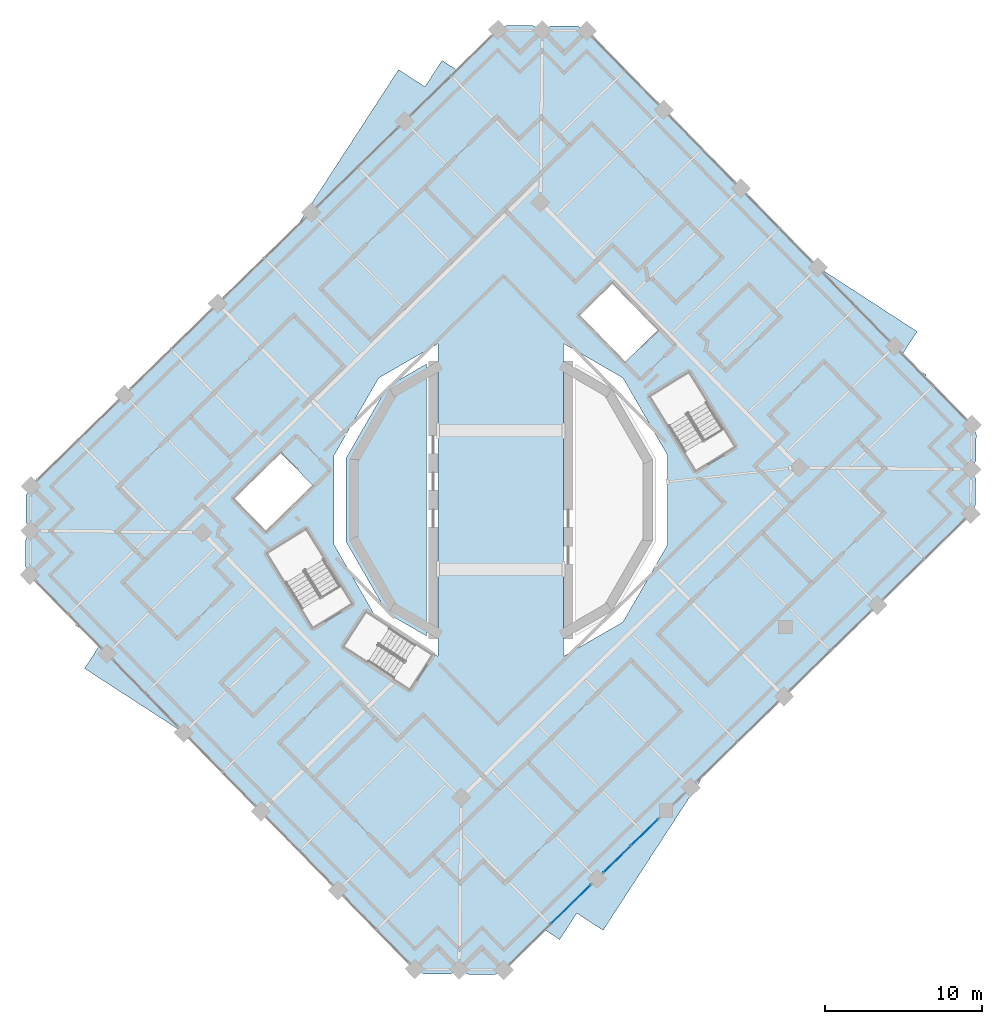
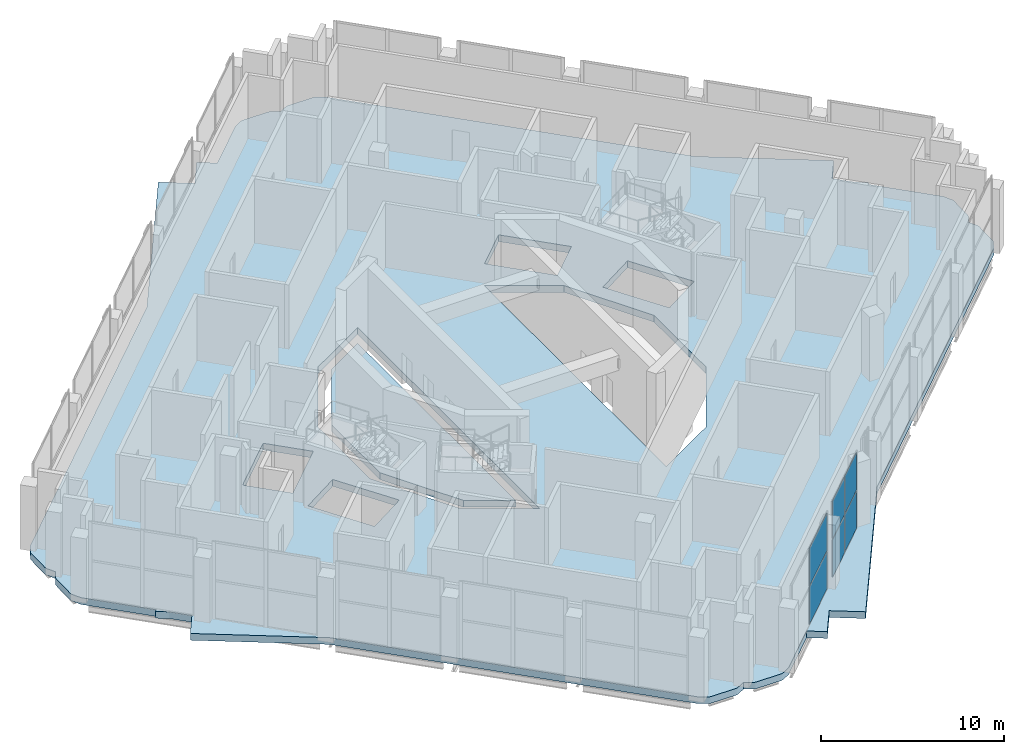
# One storey, part 10 of 20: 6 plates, 2 slabs, 2 elements without a shape of their own.
"""IFC4 building model written with IfcOpenShell, lengths in metres."""

from ifc_helpers import new_model, si_unit, direction, frame, origin, origin_2d, place, context, subcontext, project, spatial, polyline, rectangle, outline, extrude, material, layer, layer_set, type_object, element, aggregate, save


model = new_model("IFC4")

# Units and contexts
model_context = context("Model", 3, precision=1e-05, world=origin(), true_north=direction((0.0, 1.0)))
body_context = subcontext(model_context, "Body", "Model", "MODEL_VIEW")
ifc_project = project(units=[si_unit("LENGTHUNIT", "METRE"), si_unit("AREAUNIT", "SQUARE_METRE"), si_unit("VOLUMEUNIT", "CUBIC_METRE"), si_unit("PLANEANGLEUNIT", "RADIAN"), si_unit("MASSUNIT", "GRAM", prefix="KILO")], contexts=[model_context])

# Site, building, storey
site_placement = place(None, origin())
site = spatial("IfcSite", under=ifc_project, at=site_placement, CompositionType="ELEMENT")
building_placement = place(site_placement, origin())
building = spatial("IfcBuilding", under=site, at=building_placement, Name="Cantera Rosa Tower", CompositionType="ELEMENT")
storey_placement = place(building_placement, frame((0.0, 0.0, 245.0)))
storey = spatial("IfcBuildingStorey", under=building, at=storey_placement, Name="L54", CompositionType="ELEMENT", Elevation=245.0)

# Curtain wall, plates
ifc_material_1 = material(Name="Anodised aluminium louvre", Category="aluminium")
curtain_wall_type = type_object("IfcCurtainWallType", Name="CW3 REFUGE LOUVRE WALL", PredefinedType="NOTDEFINED", material=ifc_material_1)
curtain_wall_1_placement = place(storey_placement, origin())
curtain_wall_1 = element("IfcCurtainWall", 1, at=curtain_wall_1_placement, inside=storey, type_object=curtain_wall_type, Name="CW3 CW3", PredefinedType="NOTDEFINED")
ifc_material_2 = material(Name="Anodised aluminium louvre", Category="aluminium")
ifc_layer_1 = layer(ifc_material_2, 0.028076171875)
ifc_layer_set_1 = layer_set([ifc_layer_1], Name="CW-PANEL REFUGE")
plate_type = type_object("IfcPlateType", Name="CW-PANEL REFUGE", PredefinedType="CURTAIN_PANEL", material=ifc_layer_set_1)
plate_1_placement = place(storey_placement, frame((4.4521484375, -25.778076171875, 0.06005859375), z_axis=(0.0, 0.0, 1.0), x_axis=(0.715286291131, 0.698831540301, 0.0)))
plate_1 = element("IfcPlate", 2, at=plate_1_placement, type_object=plate_type, Name="CW3 panel 2.1", PredefinedType="CURTAIN_PANEL", context=body_context, shape_type="SweptSolid", body=[
    extrude(rectangle(XDim=3.5400390625, YDim=0.028076171875, at=origin_2d()), origin(), (0.0, 0.0, 1.0), 2.510009765625),
])
plate_2_placement = place(storey_placement, frame((4.4521484375, -25.778076171875, 2.6298828125), z_axis=(0.0, 0.0, 1.0), x_axis=(0.715286291131, 0.698831540301, 0.0)))
plate_2 = element("IfcPlate", 3, at=plate_2_placement, type_object=plate_type, Name="CW3 panel 2.2", PredefinedType="CURTAIN_PANEL", context=body_context, shape_type="SweptSolid", body=[
    extrude(rectangle(XDim=3.5400390625, YDim=0.028076171875, at=origin_2d()), origin(), (0.0, 0.0, 1.0), 2.510009765625),
])
aggregate(curtain_wall_1, [plate_1, plate_2])

curtain_wall_2_placement = place(storey_placement, origin())
curtain_wall_2 = element("IfcCurtainWall", 4, at=curtain_wall_2_placement, inside=storey, type_object=curtain_wall_type, Name="CW3 CW3", PredefinedType="NOTDEFINED")
plate_3_placement = place(storey_placement, frame((7.396484375, -22.9013671875, 0.06005859375), z_axis=(0.0, 0.0, 1.0), x_axis=(0.715286291058, 0.698831540376, 0.0)))
plate_3 = element("IfcPlate", 5, at=plate_3_placement, type_object=plate_type, Name="CW3 panel 1.1", PredefinedType="CURTAIN_PANEL", context=body_context, shape_type="SweptSolid", body=[
    extrude(rectangle(XDim=2.373046875, YDim=0.028076171875, at=origin_2d()), origin(), (0.0, 0.0, 1.0), 2.510009765625),
])
plate_4_placement = place(storey_placement, frame((7.396484375, -22.9013671875, 2.6298828125), z_axis=(0.0, 0.0, 1.0), x_axis=(0.715286291058, 0.698831540376, 0.0)))
plate_4 = element("IfcPlate", 6, at=plate_4_placement, type_object=plate_type, Name="CW3 panel 1.2", PredefinedType="CURTAIN_PANEL", context=body_context, shape_type="SweptSolid", body=[
    extrude(rectangle(XDim=2.373046875, YDim=0.028076171875, at=origin_2d()), origin(), (0.0, 0.0, 1.0), 2.510009765625),
])
plate_5_placement = place(storey_placement, frame((9.151123046875, -21.18701171875, 0.06005859375), z_axis=(0.0, 0.0, 1.0), x_axis=(0.715286291058, 0.698831540376, 0.0)))
plate_5 = element("IfcPlate", 7, at=plate_5_placement, type_object=plate_type, Name="CW3 panel 2.1", PredefinedType="CURTAIN_PANEL", context=body_context, shape_type="SweptSolid", body=[
    extrude(rectangle(XDim=2.373046875, YDim=0.028076171875, at=origin_2d()), origin(), (0.0, 0.0, 1.0), 2.510009765625),
])
plate_6_placement = place(storey_placement, frame((9.151123046875, -21.18701171875, 2.6298828125), z_axis=(0.0, 0.0, 1.0), x_axis=(0.715286291058, 0.698831540376, 0.0)))
plate_6 = element("IfcPlate", 8, at=plate_6_placement, type_object=plate_type, Name="CW3 panel 2.2", PredefinedType="CURTAIN_PANEL", context=body_context, shape_type="SweptSolid", body=[
    extrude(rectangle(XDim=2.373046875, YDim=0.028076171875, at=origin_2d()), origin(), (0.0, 0.0, 1.0), 2.510009765625),
])
aggregate(curtain_wall_2, [plate_3, plate_4, plate_5, plate_6])

# Slabs
ifc_material_3 = material(Name="Concrete C50/60", Category="concrete")
ifc_layer_2 = layer(ifc_material_3, 0.449951171875)
ifc_layer_set_2 = layer_set([ifc_layer_2], Name="RC TRANSFER PLATE 450 C50/60")
slab_type = type_object("IfcSlabType", Name="RC TRANSFER PLATE 450 C50/60", PredefinedType="FLOOR", material=ifc_layer_set_2)
slab_1_placement = place(storey_placement, frame((0.0, 0.0, -0.449951171875)))
element("IfcSlab", 9, at=slab_1_placement, inside=storey, type_object=slab_type, Name="SLAB L54 floor 1", PredefinedType="FLOOR", context=body_context, shape_type="SweptSolid", body=[
    extrude(outline(polyline([(-4.75, 8.660400390625), (-4.75, -8.660400390625), (-7.22900390625, -7.22900390625), (-9.875244140625, -2.64599609375), (-9.875244140625, 2.64599609375), (-7.22900390625, 7.22900390625), (-4.75, 8.660400390625)])), origin(), (0.0, 0.0, 1.0), 0.449951171875),
])
slab_2_placement = place(storey_placement, frame((0.0, 0.0, -0.449951171875)))
element("IfcSlab", 10, at=slab_2_placement, inside=storey, type_object=slab_type, Name="SLAB L54 floor 2", PredefinedType="FLOOR", context=body_context, shape_type="SweptSolid", body=[
    extrude(outline(polyline([(-2.1279296875, -30.200439453125), (-2.154541015625, -30.1875), (-2.646484375, -29.917236328125), (-3.144287109375, -30.176025390625), (-3.171142578125, -30.188232421875), (-3.198974609375, -30.197998046875), (-3.2275390625, -30.20458984375), (-3.2568359375, -30.208740234375), (-3.2861328125, -30.209716796875), (-4.841796875, -30.191650390625), (-4.87109375, -30.18994140625), (-4.900146484375, -30.185302734375), (-4.9287109375, -30.177734375), (-4.956298828125, -30.16748046875), (-4.982666015625, -30.154541015625), (-5.474609375, -29.88427734375), (-20.117919921875, -14.896240234375), (-26.52587890625, -10.734619140625), (-25.5908203125, -9.29443359375), (-26.49169921875, -8.372314453125), (-27.114013671875, -7.968017578125), (-27.023193359375, -7.828369140625), (-30.003662109375, -4.777587890625), (-30.262451171875, -4.27978515625), (-30.274658203125, -4.2529296875), (-30.2841796875, -4.22509765625), (-30.291015625, -4.196533203125), (-30.295166015625, -4.167236328125), (-30.296142578125, -4.137939453125), (-30.278076171875, -2.58251953125), (-30.2763671875, -2.552978515625), (-30.271484375, -2.52392578125), (-30.26416015625, -2.495361328125), (-30.25390625, -2.4677734375), (-30.240966796875, -2.44140625), (-29.970703125, -1.949462890625), (-30.2294921875, -1.451416015625), (-30.24169921875, -1.4248046875), (-30.25146484375, -1.39697265625), (-30.25830078125, -1.368408203125), (-30.26220703125, -1.339111328125), (-30.26318359375, -1.309814453125), (-30.2451171875, 0.245849609375), (-30.243408203125, 0.275146484375), (-30.23876953125, 0.30419921875), (-30.231201171875, 0.332763671875), (-30.220947265625, 0.3603515625), (-30.2080078125, 0.386962890625), (-29.937744140625, 0.878662109375), (-13.019287109375, 17.407958984375), (-6.515625, 27.4228515625), (-4.83837890625, 26.33349609375), (-3.7490234375, 28.0107421875), (-2.798583984375, 27.3935546875), (-0.883056640625, 29.26513671875), (-0.181884765625, 29.9501953125), (0.316162109375, 30.208984375), (0.343017578125, 30.22119140625), (0.37060546875, 30.230712890625), (0.3994140625, 30.237548828125), (0.4287109375, 30.24169921875), (0.4580078125, 30.24267578125), (2.013427734375, 30.224609375), (2.04296875, 30.222900390625), (2.072021484375, 30.218017578125), (2.100341796875, 30.210693359375), (2.1279296875, 30.200439453125), (2.154541015625, 30.1875), (2.646484375, 29.917236328125), (3.144287109375, 30.176025390625), (3.171142578125, 30.188232421875), (3.198974609375, 30.197998046875), (3.2275390625, 30.20458984375), (3.2568359375, 30.208740234375), (3.2861328125, 30.209716796875), (4.841796875, 30.191650390625), (4.87109375, 30.18994140625), (4.900146484375, 30.185302734375), (4.9287109375, 30.177734375), (4.956298828125, 30.16748046875), (4.982666015625, 30.154541015625), (5.474609375, 29.88427734375), (20.117919921875, 14.896240234375), (26.52587890625, 10.734619140625), (25.5908203125, 9.29443359375), (26.49169921875, 8.372314453125), (27.114013671875, 7.968017578125), (27.023193359375, 7.828369140625), (30.003662109375, 4.777587890625), (30.262451171875, 4.27978515625), (30.274658203125, 4.2529296875), (30.2841796875, 4.22509765625), (30.291015625, 4.196533203125), (30.295166015625, 4.167236328125), (30.296142578125, 4.137939453125), (30.278076171875, 2.58251953125), (30.2763671875, 2.552978515625), (30.271484375, 2.52392578125), (30.26416015625, 2.495361328125), (30.25390625, 2.4677734375), (30.240966796875, 2.44140625), (29.970703125, 1.949462890625), (30.2294921875, 1.451416015625), (30.24169921875, 1.4248046875), (30.25146484375, 1.39697265625), (30.25830078125, 1.368408203125), (30.26220703125, 1.339111328125), (30.26318359375, 1.309814453125), (30.2451171875, -0.245849609375), (30.243408203125, -0.275146484375), (30.23876953125, -0.30419921875), (30.231201171875, -0.332763671875), (30.220947265625, -0.3603515625), (30.2080078125, -0.386962890625), (29.937744140625, -0.878662109375), (13.019287109375, -17.407958984375), (6.515625, -27.4228515625), (4.83837890625, -26.33349609375), (3.7490234375, -28.0107421875), (2.798583984375, -27.3935546875), (0.883056640625, -29.26513671875), (0.181884765625, -29.9501953125), (-0.316162109375, -30.208984375), (-0.343017578125, -30.22119140625), (-0.37060546875, -30.230712890625), (-0.3994140625, -30.237548828125), (-0.4287109375, -30.24169921875), (-0.4580078125, -30.24267578125), (-2.013427734375, -30.224609375), (-2.04296875, -30.222900390625), (-2.072021484375, -30.218017578125), (-2.100341796875, -30.210693359375), (-2.1279296875, -30.200439453125)]), holes=[polyline([(-14.8564453125, -3.407470703125), (-12.68408203125, -6.929443359375), (-10.258544921875, -5.433349609375), (-12.430908203125, -1.911376953125), (-14.8564453125, -3.407470703125)]), polyline([(10.625244140625, -2.846923828125), (10.625244140625, 2.846923828125), (7.7783203125, 7.7783203125), (4.0, 9.95947265625), (4.0, -9.95947265625), (7.7783203125, -7.7783203125), (10.625244140625, -2.846923828125)]), polyline([(-10.625244140625, 2.846923828125), (-10.625244140625, -2.846923828125), (-7.7783203125, -7.7783203125), (-4.0, -9.95947265625), (-4.0, 9.95947265625), (-7.7783203125, 7.7783203125), (-10.625244140625, 2.846923828125)]), polyline([(-14.97119140625, -1.941162109375), (-12.01123046875, 0.95068359375), (-14.0029296875, 2.9892578125), (-16.962890625, 0.097412109375), (-14.97119140625, -1.941162109375)]), polyline([(11.96923828125, 8.088623046875), (9.54345703125, 6.592529296875), (11.7158203125, 3.070556640625), (14.1416015625, 4.566650390625), (11.96923828125, 8.088623046875)]), polyline([(7.097412109375, 13.762939453125), (5.058837890625, 11.771240234375), (7.95068359375, 8.811279296875), (9.9892578125, 10.802978515625), (7.097412109375, 13.762939453125)])]), origin(), (0.0, 0.0, 1.0), 0.449951171875),
])

save(model, "model.ifc")
